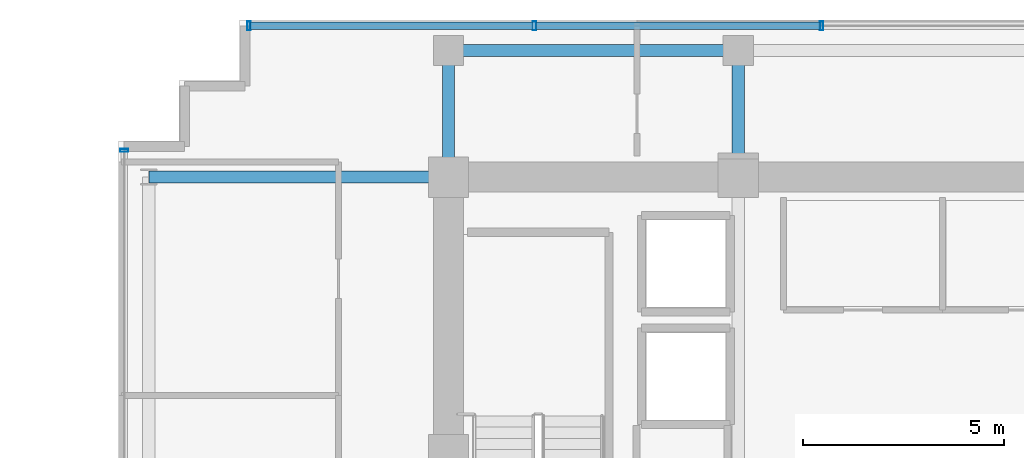
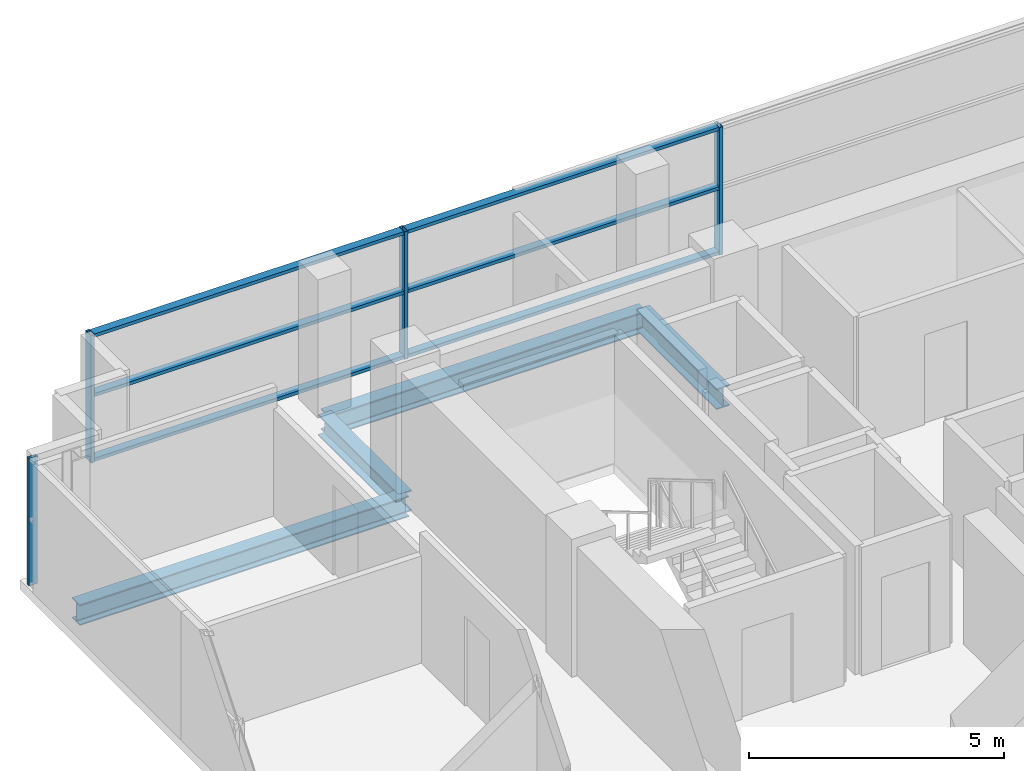
# One storey, part 10 of 22: 10 members, 4 beams, 2 elements without a shape of their own.
"""IFC4 building model written with IfcOpenShell, lengths in metres."""

from ifc_helpers import new_model, si_unit, direction, frame, origin, origin_2d, place, context, subcontext, project, spatial, hollow_rectangle, i_section, extrude, source, transform, mapped, material, layer, layer_set, material_profile, profile_set, type_object, element, aggregate, save


model = new_model("IFC4")

# Units and contexts
model_context = context("Model", 3, precision=1e-05, world=origin(), true_north=direction((0.0, 1.0)))
body_context = subcontext(model_context, "Body", "Model", "MODEL_VIEW")
ifc_project = project(units=[si_unit("LENGTHUNIT", "METRE"), si_unit("AREAUNIT", "SQUARE_METRE"), si_unit("VOLUMEUNIT", "CUBIC_METRE"), si_unit("PLANEANGLEUNIT", "RADIAN"), si_unit("MASSUNIT", "GRAM", prefix="KILO")], contexts=[model_context])

# Site, building, storey
site_placement = place(None, origin())
site = spatial("IfcSite", under=ifc_project, at=site_placement, CompositionType="ELEMENT")
building_placement = place(site_placement, origin())
building = spatial("IfcBuilding", under=site, at=building_placement, Name="Zarnakvel Exchange Tower", CompositionType="ELEMENT")
storey_placement = place(building_placement, frame((0.0, 0.0, 192.39990234375)))
storey = spatial("IfcBuildingStorey", under=building, at=storey_placement, Name="L54", CompositionType="ELEMENT", Elevation=192.39990234375)

# Beams
ifc_material_1 = material(Name="Steel S355", Category="steel")
ifc_material_profile_1 = material_profile(ifc_material_1, i_section(OverallWidth=0.300048828125, OverallDepth=0.5, WebThickness=0.014404296875, FlangeThickness=0.028076171875, FilletRadius=0.027099609375, at=origin_2d()))
ifc_profile_set_1 = profile_set([ifc_material_profile_1], Name="Steel S355")
beam_type_1 = type_object("IfcBeamType", Name="G-06", PredefinedType="BEAM", material=ifc_profile_set_1)
beam_1_placement = place(storey_placement, frame((-21.85009765625, 13.5, -0.474853515625), z_axis=(1.0, 0.0, 0.0), x_axis=(0.0, 1.0, 0.0)))
element("IfcBeam", 1, at=beam_1_placement, inside=storey, type_object=beam_type_1, Name="L54 Tower E-W Frame Beam", PredefinedType="BEAM", context=body_context, shape_type="SweptSolid", body=[
    extrude(i_section(OverallWidth=0.300048828125, OverallDepth=0.5, WebThickness=0.014404296875, FlangeThickness=0.028076171875, FilletRadius=0.027099609375, at=origin_2d()), origin(), (0.0, 0.0, 1.0), 7.4501953125),
])
for number, where, z_axis, x_axis, name in (
    (2, (-14.39990234375, 13.5, -0.474853515625), (0.0, 1.0, 0.0), (-1.0, 0.0, 0.0), "L54 Tower N-S Frame Beam"),
    (3, (-7.199951171875, 13.5, -0.474853515625), (0.0, 1.0, 0.0), (-1.0, 0.0, 0.0), "L54 Tower N-S Frame Beam"),
):
    element("IfcBeam", number, at=place(storey_placement, frame(where, z_axis=z_axis, x_axis=x_axis)), inside=storey, type_object=beam_type_1, Name=name, PredefinedType="BEAM", context=body_context, shape_type="SweptSolid", body=[
        extrude(i_section(OverallWidth=0.300048828125, OverallDepth=0.5, WebThickness=0.014404296875, FlangeThickness=0.028076171875, FilletRadius=0.027099609375, at=origin_2d()), origin(), (0.0, 0.0, 1.0), 3.14990234375),
    ])
ifc_material_profile_2 = material_profile(ifc_material_1, i_section(OverallWidth=0.300048828125, OverallDepth=0.5, WebThickness=0.014404296875, FlangeThickness=0.028076171875, FilletRadius=0.027099609375, at=origin_2d()))
ifc_profile_set_2 = profile_set([ifc_material_profile_2], Name="Steel S355")
beam_type_2 = type_object("IfcBeamType", Name="SP-02", PredefinedType="SPANDREL", material=ifc_profile_set_2)
beam_2_placement = place(storey_placement, frame((-14.39990234375, 16.64990234375, -0.474853515625), z_axis=(1.0, 0.0, 0.0), x_axis=(0.0, 1.0, 0.0)))
element("IfcBeam", 4, at=beam_2_placement, inside=storey, type_object=beam_type_2, Name="L54 Tower E-W Frame Beam", PredefinedType="SPANDREL", context=body_context, shape_type="SweptSolid", body=[
    extrude(i_section(OverallWidth=0.300048828125, OverallDepth=0.5, WebThickness=0.014404296875, FlangeThickness=0.028076171875, FilletRadius=0.027099609375, at=origin_2d()), origin(), (0.0, 0.0, 1.0), 7.199951171875),
])

# Curtain wall, member
ifc_material_2 = material(Name="Architectural Bronze Anodised Aluminium", Category="aluminium")
ifc_layer_1 = layer(ifc_material_2, 0.199951171875)
ifc_layer_set_1 = layer_set([ifc_layer_1], Name="Architectural Bronze Anodised Aluminium")
curtain_wall_type_1 = type_object("IfcCurtainWallType", Name="CW-04", PredefinedType="NOTDEFINED", material=ifc_layer_set_1)
curtain_wall_1_placement = place(storey_placement, origin())
curtain_wall_1 = element("IfcCurtainWall", 5, at=curtain_wall_1_placement, inside=storey, type_object=curtain_wall_type_1, Name="L54 Curtain Wall CW-L54-WN (CW-04)", PredefinedType="NOTDEFINED")
ifc_material_profile_3 = material_profile(ifc_material_2, hollow_rectangle(XDim=0.199951171875, YDim=0.074951171875, WallThickness=0.0048828125, at=origin_2d()))
ifc_profile_set_3 = profile_set([ifc_material_profile_3], Name="Architectural Bronze Anodised Aluminium")
member_type_1 = type_object("IfcMemberType", Name="CWM-04", PredefinedType="MULLION", material=ifc_profile_set_3)
shared_shape_1 = source(origin(), body_context, "Body", "SweptSolid", [
    extrude(hollow_rectangle(XDim=0.199951171875, YDim=0.074951171875, WallThickness=0.0048828125, at=origin_2d()), origin(), (0.0, 0.0, 1.0), 3.05517578125),
])
member_1_placement = place(storey_placement, frame((-22.4599609375, 14.16259765625, 0.0), z_axis=(0.0, 0.0, 1.0), x_axis=(-1.0, 0.0, 0.0)))
member_1 = element("IfcMember", 6, at=member_1_placement, type_object=member_type_1, Name="CW-04 mullion 3", PredefinedType="MULLION", context=body_context, shape_type="MappedRepresentation", body=[
    mapped(shared_shape_1, transform((0.0, 0.0, 0.0), x_axis=(1.0, 0.0, 0.0), y_axis=(0.0, 1.0, 0.0), z_axis=(0.0, 0.0, 1.0), scale=1.0)),
])
aggregate(curtain_wall_1, [member_1])

# Curtain wall, members
ifc_layer_2 = layer(ifc_material_2, 0.219970703125)
ifc_layer_set_2 = layer_set([ifc_layer_2], Name="Architectural Bronze Anodised Aluminium")
curtain_wall_type_2 = type_object("IfcCurtainWallType", Name="CW-03", PredefinedType="NOTDEFINED", material=ifc_layer_set_2)
curtain_wall_2_placement = place(storey_placement, origin())
curtain_wall_2 = element("IfcCurtainWall", 7, at=curtain_wall_2_placement, inside=storey, type_object=curtain_wall_type_2, Name="L54 Curtain Wall CW-L54-N1 (CW-03)", PredefinedType="NOTDEFINED")
ifc_material_profile_4 = material_profile(ifc_material_2, hollow_rectangle(XDim=0.179931640625, YDim=0.080078125, WallThickness=0.00390625, at=origin_2d()))
ifc_profile_set_4 = profile_set([ifc_material_profile_4], Name="Architectural Bronze Anodised Aluminium")
member_type_2 = type_object("IfcMemberType", Name="CWT-03", PredefinedType="USERDEFINED", material=ifc_profile_set_4)
shared_shape_2 = source(origin(), body_context, "Body", "SweptSolid", [
    extrude(hollow_rectangle(XDim=0.179931640625, YDim=0.080078125, WallThickness=0.00390625, at=origin_2d()), origin(), (0.0, 0.0, 1.0), 7.013427734375),
])
member_2_placement = place(storey_placement, frame((-19.320068359375, 17.260009765625, 0.0400390625), z_axis=(1.0, 0.0, 0.0), x_axis=(0.0, 1.0, 0.0)))
member_2 = element("IfcMember", 8, at=member_2_placement, type_object=member_type_2, Name="CW-03 transom 1.1", ObjectType="TRANSOM", PredefinedType="USERDEFINED", context=body_context, shape_type="MappedRepresentation", body=[
    mapped(shared_shape_2, transform((0.0, 0.0, 0.0), x_axis=(1.0, 0.0, 0.0), y_axis=(0.0, 1.0, 0.0), z_axis=(0.0, 0.0, 1.0), scale=1.0)),
])
member_3_placement = place(storey_placement, frame((-19.320068359375, 17.260009765625, 1.588623046875), z_axis=(1.0, 0.0, 0.0), x_axis=(0.0, 1.0, 0.0)))
member_3 = element("IfcMember", 9, at=member_3_placement, type_object=member_type_2, Name="CW-03 transom 1.2", ObjectType="TRANSOM", PredefinedType="USERDEFINED", context=body_context, shape_type="MappedRepresentation", body=[
    mapped(shared_shape_2, transform((0.0, 0.0, 0.0), x_axis=(1.0, 0.0, 0.0), y_axis=(0.0, 1.0, 0.0), z_axis=(0.0, 0.0, 1.0), scale=1.0)),
])
member_4_placement = place(storey_placement, frame((-19.320068359375, 17.260009765625, 3.01513671875), z_axis=(1.0, 0.0, 0.0), x_axis=(0.0, 1.0, 0.0)))
member_4 = element("IfcMember", 10, at=member_4_placement, type_object=member_type_2, Name="CW-03 transom 1.3", ObjectType="TRANSOM", PredefinedType="USERDEFINED", context=body_context, shape_type="MappedRepresentation", body=[
    mapped(shared_shape_2, transform((0.0, 0.0, 0.0), x_axis=(1.0, 0.0, 0.0), y_axis=(0.0, 1.0, 0.0), z_axis=(0.0, 0.0, 1.0), scale=1.0)),
])
shared_shape_3 = source(origin(), body_context, "Body", "SweptSolid", [
    extrude(hollow_rectangle(XDim=0.179931640625, YDim=0.080078125, WallThickness=0.00390625, at=origin_2d()), origin(), (0.0, 0.0, 1.0), 7.05322265625),
])
member_5_placement = place(storey_placement, frame((-12.2265625, 17.260009765625, 0.0400390625), z_axis=(1.0, 0.0, 0.0), x_axis=(0.0, 1.0, 0.0)))
member_5 = element("IfcMember", 11, at=member_5_placement, type_object=member_type_2, Name="CW-03 transom 2.1", ObjectType="TRANSOM", PredefinedType="USERDEFINED", context=body_context, shape_type="MappedRepresentation", body=[
    mapped(shared_shape_3, transform((0.0, 0.0, 0.0), x_axis=(1.0, 0.0, 0.0), y_axis=(0.0, 1.0, 0.0), z_axis=(0.0, 0.0, 1.0), scale=1.0)),
])
member_6_placement = place(storey_placement, frame((-12.2265625, 17.260009765625, 1.588623046875), z_axis=(1.0, 0.0, 0.0), x_axis=(0.0, 1.0, 0.0)))
member_6 = element("IfcMember", 12, at=member_6_placement, type_object=member_type_2, Name="CW-03 transom 2.2", ObjectType="TRANSOM", PredefinedType="USERDEFINED", context=body_context, shape_type="MappedRepresentation", body=[
    mapped(shared_shape_3, transform((0.0, 0.0, 0.0), x_axis=(1.0, 0.0, 0.0), y_axis=(0.0, 1.0, 0.0), z_axis=(0.0, 0.0, 1.0), scale=1.0)),
])
member_7_placement = place(storey_placement, frame((-12.2265625, 17.260009765625, 3.01513671875), z_axis=(1.0, 0.0, 0.0), x_axis=(0.0, 1.0, 0.0)))
member_7 = element("IfcMember", 13, at=member_7_placement, type_object=member_type_2, Name="CW-03 transom 2.3", ObjectType="TRANSOM", PredefinedType="USERDEFINED", context=body_context, shape_type="MappedRepresentation", body=[
    mapped(shared_shape_3, transform((0.0, 0.0, 0.0), x_axis=(1.0, 0.0, 0.0), y_axis=(0.0, 1.0, 0.0), z_axis=(0.0, 0.0, 1.0), scale=1.0)),
])
ifc_material_profile_5 = material_profile(ifc_material_2, hollow_rectangle(XDim=0.219970703125, YDim=0.080078125, WallThickness=0.0048828125, at=origin_2d()))
ifc_profile_set_5 = profile_set([ifc_material_profile_5], Name="Architectural Bronze Anodised Aluminium")
member_type_3 = type_object("IfcMemberType", Name="CWM-03", PredefinedType="MULLION", material=ifc_profile_set_5)
shared_shape_4 = source(origin(), body_context, "Body", "SweptSolid", [
    extrude(hollow_rectangle(XDim=0.219970703125, YDim=0.080078125, WallThickness=0.0048828125, at=origin_2d()), origin(), (0.0, 0.0, 1.0), 3.05517578125),
])
member_8_placement = place(storey_placement, frame((-19.360107421875, 17.260009765625, 0.0), z_axis=(0.0, 0.0, 1.0), x_axis=(0.0, 1.0, 0.0)))
member_8 = element("IfcMember", 14, at=member_8_placement, type_object=member_type_3, Name="CW-03 mullion 1", PredefinedType="MULLION", context=body_context, shape_type="MappedRepresentation", body=[
    mapped(shared_shape_4, transform((0.0, 0.0, 0.0), x_axis=(1.0, 0.0, 0.0), y_axis=(0.0, 1.0, 0.0), z_axis=(0.0, 0.0, 1.0), scale=1.0)),
])
member_9_placement = place(storey_placement, frame((-12.2666015625, 17.260009765625, 0.0), z_axis=(0.0, 0.0, 1.0), x_axis=(0.0, 1.0, 0.0)))
member_9 = element("IfcMember", 15, at=member_9_placement, type_object=member_type_3, Name="CW-03 mullion 2", PredefinedType="MULLION", context=body_context, shape_type="MappedRepresentation", body=[
    mapped(shared_shape_4, transform((0.0, 0.0, 0.0), x_axis=(1.0, 0.0, 0.0), y_axis=(0.0, 1.0, 0.0), z_axis=(0.0, 0.0, 1.0), scale=1.0)),
])
member_10_placement = place(storey_placement, frame((-5.13330078125, 17.260009765625, 0.0), z_axis=(0.0, 0.0, 1.0), x_axis=(0.0, 1.0, 0.0)))
member_10 = element("IfcMember", 16, at=member_10_placement, type_object=member_type_3, Name="CW-03 mullion 3", PredefinedType="MULLION", context=body_context, shape_type="MappedRepresentation", body=[
    mapped(shared_shape_4, transform((0.0, 0.0, 0.0), x_axis=(1.0, 0.0, 0.0), y_axis=(0.0, 1.0, 0.0), z_axis=(0.0, 0.0, 1.0), scale=1.0)),
])
aggregate(curtain_wall_2, [member_8, member_9, member_10, member_2, member_3, member_4, member_5, member_6, member_7])

save(model, "model.ifc")
